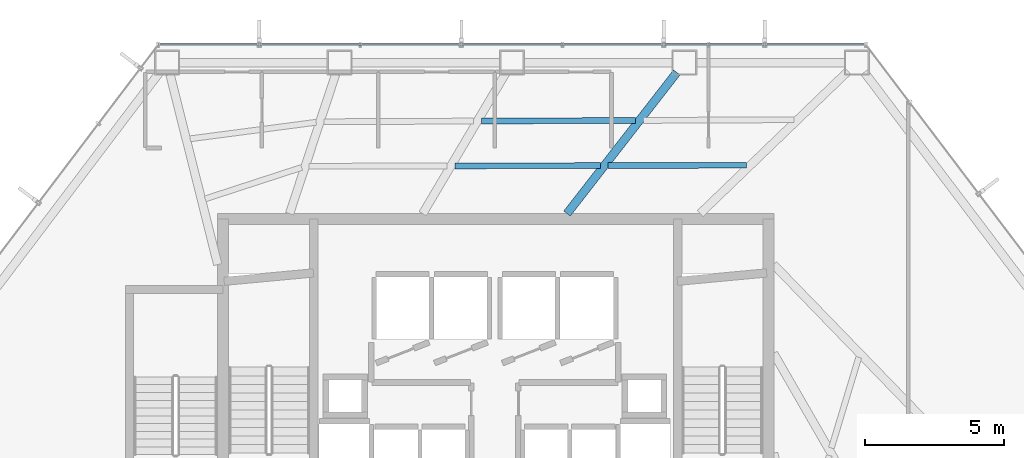
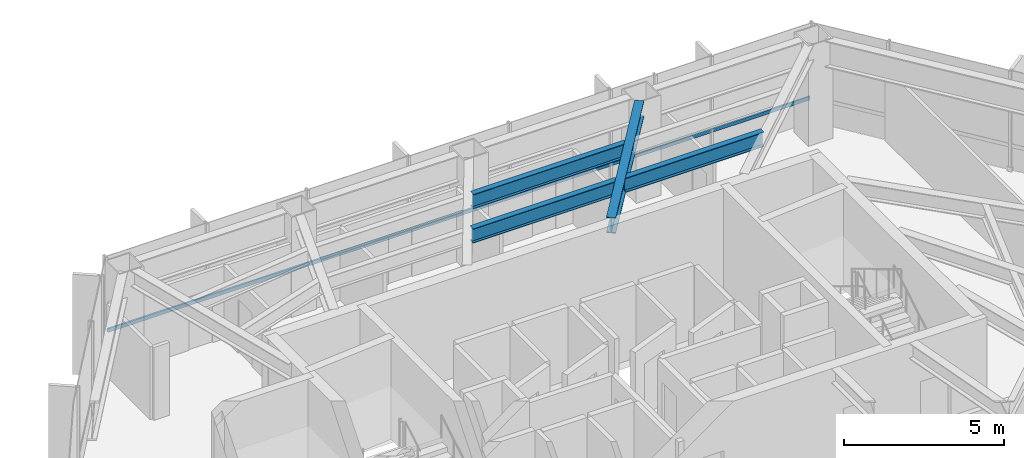
# One storey, part 12 of 24: 4 beams, 1 member, 1 element without a shape of its own.
"""IFC4 building model written with IfcOpenShell, lengths in metres."""

import ifcopenshell
import ifcopenshell.guid

model = None  # the IFC model being written
_history = None  # IfcOwnerHistory: only IFC2X3 demands one
_inside = {}  # id of a spatial element -> (the spatial element, [elements in it])
_under = {}  # id of a project, library or spatial element -> (it, [spatial elements below it])
_declared = {}  # id of a project -> (the project, [libraries it declares])
_typed = {}  # id of a type object -> (the type object, [elements of that type])
_made_of = {}  # id of a material, layer set ... -> (it, [elements and type objects made of it])


def new_model(schema):
    """Start an empty IFC model of exactly this schema.

    Asked for "IFC4X3", IfcOpenShell would pick the latest addendum, in which some entities
    have other attributes; the version numbers below select the first issue.
    IFC2X3 requires an IfcOwnerHistory on every rooted entity: one is made here for all.
    """
    global model, _history
    if schema == "IFC4X3":
        model = ifcopenshell.file(schema_version=(4, 3, 0, 0))
    else:
        model = ifcopenshell.file(schema=schema)
    _inside.clear()
    _under.clear()
    _declared.clear()
    _typed.clear()
    _made_of.clear()
    _history = None
    if model.schema == "IFC2X3":
        org = make("IfcOrganization", Name="unknown")
        user = make(
            "IfcPersonAndOrganization",
            ThePerson=make("IfcPerson", FamilyName="unknown"),
            TheOrganization=org,
        )
        app = make(
            "IfcApplication",
            ApplicationDeveloper=org,
            Version="unknown",
            ApplicationFullName="unknown",
            ApplicationIdentifier="unknown",
        )
        _history = make(
            "IfcOwnerHistory",
            OwningUser=user,
            OwningApplication=app,
            ChangeAction="ADDED",
            CreationDate=0,
        )
    return model


def make(cls, **values):
    """One entity of the class cls with the attributes given. An attribute that is None is left unset."""
    return model.create_entity(
        cls, **{name: value for name, value in values.items() if value is not None}
    )


def rooted(cls, **values):
    """An entity with a GlobalId (a new one), such as an element, a storey or a relation."""
    return make(cls, GlobalId=ifcopenshell.guid.new(), OwnerHistory=_history, **values)


def si_unit(unit_type, name, prefix=None):
    """IfcSIUnit, for example si_unit("LENGTHUNIT", "METRE", prefix="MILLI")."""
    return make("IfcSIUnit", UnitType=unit_type, Prefix=prefix, Name=name)


def assignment(units):
    """IfcUnitAssignment: the units of a project."""
    return None if units is None else make("IfcUnitAssignment", Units=units)


def point(xyz):
    """IfcCartesianPoint."""
    return None if xyz is None else make("IfcCartesianPoint", Coordinates=xyz)


def direction(xyz):
    """IfcDirection."""
    return None if xyz is None else make("IfcDirection", DirectionRatios=xyz)


def frame(location, z_axis=None, x_axis=None):
    """IfcAxis2Placement3D, a coordinate frame: its origin and axes. An axis left out is left unset."""
    return make(
        "IfcAxis2Placement3D",
        Location=point(location),
        Axis=direction(z_axis),
        RefDirection=direction(x_axis),
    )


def frame_2d(location, x_axis=None):
    """IfcAxis2Placement2D, a coordinate frame in the plane: its origin and x axis."""
    return make(
        "IfcAxis2Placement2D", Location=point(location), RefDirection=direction(x_axis)
    )


def origin():
    """The frame at (0, 0, 0) with its axes left unset."""
    return frame((0.0, 0.0, 0.0))


def origin_2d():
    """The frame at (0, 0) in the plane with its x axis left unset."""
    return frame_2d((0.0, 0.0))


def place(relative_to, where):
    """IfcLocalPlacement: puts the frame where relative to a parent placement (None: the world)."""
    return make(
        "IfcLocalPlacement", PlacementRelTo=relative_to, RelativePlacement=where
    )


def context(
    kind, dimensions, precision=None, world=None, true_north=None, identifier=None
):
    """IfcGeometricRepresentationContext, for example the 3D "Model" context."""
    return make(
        "IfcGeometricRepresentationContext",
        ContextIdentifier=identifier,
        ContextType=kind,
        CoordinateSpaceDimension=dimensions,
        Precision=precision,
        WorldCoordinateSystem=world,
        TrueNorth=true_north,
    )


def subcontext(parent, identifier, kind, view, scale=None):
    """IfcGeometricRepresentationSubContext, for example "Body" below "Model"."""
    return make(
        "IfcGeometricRepresentationSubContext",
        ContextIdentifier=identifier,
        ContextType=kind,
        ParentContext=parent,
        TargetScale=scale,
        TargetView=view,
    )


def project(units=None, contexts=None):
    """IfcProject with its units and contexts."""
    return rooted(
        "IfcProject",
        Name="project",
        RepresentationContexts=contexts,
        UnitsInContext=assignment(units),
    )


def spatial(cls, under=None, at=None, **own):
    """A site, building, storey or space (cls), placed at a placement, below another one or the project."""
    s = rooted(cls, ObjectPlacement=at, **own)
    if under is not None:
        _under.setdefault(under.id(), (under, []))[1].append(s)
    return s


def profile(cls, at=None, kind="AREA", **sizes):
    """A parametric profile (cls). Its sizes go by their IFC names, for example OverallWidth=200.0."""
    return make(cls, ProfileType=kind, Position=at, **sizes)


def hollow_rectangle(**sizes):
    """IfcRectangleHollowProfileDef."""
    return profile("IfcRectangleHollowProfileDef", **sizes)


def i_section(**sizes):
    """IfcIShapeProfileDef."""
    return profile("IfcIShapeProfileDef", **sizes)


def extrude(swept, where, along, depth):
    """IfcExtrudedAreaSolid: the profile swept, set in the frame where, extruded along a direction by depth."""
    return make(
        "IfcExtrudedAreaSolid",
        SweptArea=swept,
        Position=where,
        ExtrudedDirection=direction(along),
        Depth=depth,
    )


def shape(context_of_items, identifier, shape_type, items):
    """IfcShapeRepresentation: the items that make up one representation, for example the "Body"."""
    return make(
        "IfcShapeRepresentation",
        ContextOfItems=context_of_items,
        RepresentationIdentifier=identifier,
        RepresentationType=shape_type,
        Items=items,
    )


def material(Name=None, Category=None):
    """IfcMaterial."""
    return make("IfcMaterial", Name=Name, Category=Category)


def layer(
    of_material, thickness, ventilated=None, Name=None, Category=None, Priority=None
):
    """IfcMaterialLayer: one layer of a wall or slab, of a material (None: an air gap)."""
    return make(
        "IfcMaterialLayer",
        Material=of_material,
        LayerThickness=thickness,
        IsVentilated=ventilated,
        Name=Name,
        Category=Category,
        Priority=Priority,
    )


def layer_set(layers, Name=None):
    """IfcMaterialLayerSet."""
    return make("IfcMaterialLayerSet", MaterialLayers=layers, LayerSetName=Name)


def material_profile(
    of_material, cross_section, Name=None, Category=None, Priority=None
):
    """IfcMaterialProfile: a cross section and its material."""
    return make(
        "IfcMaterialProfile",
        Name=Name,
        Material=of_material,
        Profile=cross_section,
        Priority=Priority,
        Category=Category,
    )


def profile_set(profiles, Name=None, composite=None):
    """IfcMaterialProfileSet."""
    return make(
        "IfcMaterialProfileSet",
        Name=Name,
        MaterialProfiles=profiles,
        CompositeProfile=composite,
    )


def made_of(thing, what):
    """Note that an element or type object is made of a material, layer set ...; save() writes the relation."""
    if what is not None:
        _made_of.setdefault(what.id(), (what, []))[1].append(thing)
    return thing


def type_object(cls, material=None, **own):
    """A type object (cls), such as IfcWallType, which elements share."""
    return made_of(rooted(cls, **own), material)


def element(
    cls,
    number,
    at=None,
    inside=None,
    cuts=None,
    type_object=None,
    material=None,
    context=None,
    identifier="Body",
    shape_type=None,
    held_by="IfcProductDefinitionShape",
    body=None,
    shapes=None,
    **own,
):
    """One element of the class cls, such as IfcWall. Its Tag is "e" and its number.

    at: its placement. inside: the storey or other place that contains it. cuts: it is an
    opening in that element (IfcRelVoidsElement). A single representation is given by context,
    identifier, shape_type and body (its items); several are given by shapes. held_by: the class
    of the entity that holds the representations. save() writes the other relations.
    """
    e = rooted(cls, Tag="e%d" % number, ObjectPlacement=at, **own)
    if body is not None:
        shapes = [shape(context, identifier, shape_type, body)]
    if shapes is not None:
        e.Representation = make(held_by, Representations=shapes)
    if inside is not None:
        _inside.setdefault(inside.id(), (inside, []))[1].append(e)
    if cuts is not None:
        rooted(
            "IfcRelVoidsElement", RelatingBuildingElement=cuts, RelatedOpeningElement=e
        )
    if type_object is not None:
        _typed.setdefault(type_object.id(), (type_object, []))[1].append(e)
    return made_of(e, material)


def aggregate(whole, parts):
    """IfcRelAggregates: a whole, such as a stair, and the parts it consists of."""
    return rooted("IfcRelAggregates", RelatingObject=whole, RelatedObjects=parts)


def save(model, path):
    """Write the relations noted so far, then the file.

    IfcRelAggregates (storeys below a building ...), IfcRelContainedInSpatialStructure (elements
    in a storey), IfcRelDefinesByType, IfcRelAssociatesMaterial and IfcRelDeclares: one each for
    every whole, place, type object, material and project.
    """
    for whole, parts in _under.values():
        aggregate(whole, parts)
    for where, things in _inside.values():
        rooted(
            "IfcRelContainedInSpatialStructure",
            RelatedElements=things,
            RelatingStructure=where,
        )
    for kind, things in _typed.values():
        rooted("IfcRelDefinesByType", RelatedObjects=things, RelatingType=kind)
    for what, things in _made_of.values():
        rooted("IfcRelAssociatesMaterial", RelatedObjects=things, RelatingMaterial=what)
    for by, libraries in _declared.values():
        rooted("IfcRelDeclares", RelatingContext=by, RelatedDefinitions=libraries)
    model.write(path)


model = new_model("IFC4")

# Units and contexts
model_context = context("Model", 3, precision=1e-05, world=origin(), true_north=direction((0.0, 1.0)))
body_context = subcontext(model_context, "Body", "Model", "MODEL_VIEW")
ifc_project = project(units=[si_unit("LENGTHUNIT", "METRE"), si_unit("AREAUNIT", "SQUARE_METRE"), si_unit("VOLUMEUNIT", "CUBIC_METRE"), si_unit("PLANEANGLEUNIT", "RADIAN"), si_unit("MASSUNIT", "GRAM", prefix="KILO")], contexts=[model_context])

# Site, building, storey
site_placement = place(None, origin())
site = spatial("IfcSite", under=ifc_project, at=site_placement, CompositionType="ELEMENT")
building_placement = place(site_placement, origin())
building = spatial("IfcBuilding", under=site, at=building_placement, Name="Zarrinselat Tower", CompositionType="ELEMENT")
storey_placement = place(building_placement, frame((0.0, 0.0, 76.5)))
storey = spatial("IfcBuildingStorey", under=building, at=storey_placement, Name="L18", CompositionType="ELEMENT", Elevation=76.5)

# Beams
ifc_material_1 = material(Name="Steel S355J2", Category="steel")
ifc_material_profile_1 = material_profile(ifc_material_1, i_section(OverallWidth=0.300048828125, OverallDepth=0.60009765625, WebThickness=0.015380859375, FlangeThickness=0.030029296875, at=origin_2d()), Name="HEB 600")
ifc_profile_set_1 = profile_set([ifc_material_profile_1], Name="Steel S355J2")
beam_type_1 = type_object("IfcBeamType", Name="BM-HEB600", PredefinedType="BEAM", material=ifc_profile_set_1)
beam_1_placement = place(storey_placement, frame((41.0, 43.639892578125, 3.52001953125), z_axis=(0.614058622001, 0.789260418839, 0.0), x_axis=(-0.789260418839, 0.614058622001, 0.0)))
element("IfcBeam", 1, at=beam_1_placement, inside=storey, type_object=beam_type_1, Name="L18 Radial Primary Girder RG02", PredefinedType="BEAM", context=body_context, shape_type="SweptSolid", body=[
    extrude(i_section(OverallWidth=0.300048828125, OverallDepth=0.60009765625, WebThickness=0.015380859375, FlangeThickness=0.030029296875, at=origin_2d()), origin(), (0.0, 0.0, 1.0), 6.44482421875),
])
ifc_material_2 = material(Name="Steel S355J2", Category="steel")
ifc_material_profile_2 = material_profile(ifc_material_2, i_section(OverallWidth=0.2099609375, OverallDepth=0.550048828125, WebThickness=0.010986328125, FlangeThickness=0.01708984375, at=origin_2d()), Name="IPE 550")
ifc_profile_set_2 = profile_set([ifc_material_profile_2], Name="Steel S355J2")
beam_type_2 = type_object("IfcBeamType", Name="BM-IPE550", PredefinedType="JOIST", material=ifc_profile_set_2)
beam_2_placement = place(storey_placement, frame((42.485595703125, 45.369873046875, 3.544921875), z_axis=(0.999996104882, 0.002791096757, 0.0), x_axis=(-0.002791096757, 0.999996104882, 0.0)))
element("IfcBeam", 2, at=beam_2_placement, inside=storey, type_object=beam_type_2, Name="L18 Composite Floor Joist 7-2", PredefinedType="JOIST", context=body_context, shape_type="SweptSolid", body=[
    extrude(i_section(OverallWidth=0.2099609375, OverallDepth=0.550048828125, WebThickness=0.010986328125, FlangeThickness=0.01708984375, at=origin_2d()), origin(), (0.0, 0.0, 1.0), 4.98583984375),
])
beam_3_placement = place(storey_placement, frame((37.91162109375, 46.976318359375, 3.544921875), z_axis=(0.999993359434, 0.003644322671, 0.0), x_axis=(-0.003644322671, 0.999993359434, 0.0)))
element("IfcBeam", 3, at=beam_3_placement, inside=storey, type_object=beam_type_2, Name="L18 Composite Floor Joist 8-1", PredefinedType="JOIST", context=body_context, shape_type="SweptSolid", body=[
    extrude(i_section(OverallWidth=0.2099609375, OverallDepth=0.550048828125, WebThickness=0.010986328125, FlangeThickness=0.01708984375, at=origin_2d()), origin(), (0.0, 0.0, 1.0), 5.560302734375),
])
beam_4_placement = place(storey_placement, frame((36.95556640625, 45.358642578125, 3.544921875), z_axis=(0.99999800075, 0.001999623978, 0.0), x_axis=(-0.001999623978, 0.99999800075, 0.0)))
element("IfcBeam", 4, at=beam_4_placement, inside=storey, type_object=beam_type_2, Name="L18 Composite Floor Joist 8-2", PredefinedType="JOIST", context=body_context, shape_type="SweptSolid", body=[
    extrude(i_section(OverallWidth=0.2099609375, OverallDepth=0.550048828125, WebThickness=0.010986328125, FlangeThickness=0.01708984375, at=origin_2d()), origin(), (0.0, 0.0, 1.0), 5.25),
])

# Curtain wall, member
ifc_material_3 = material(Name="Extruded Aluminium Alloy EN AW-6063 T6", Category="aluminium")
ifc_layer = layer(ifc_material_3, 0.18505859375)
ifc_layer_set = layer_set([ifc_layer], Name="Extruded Aluminium Alloy EN AW-6063 T6")
curtain_wall_type = type_object("IfcCurtainWallType", Name="CWS-OFF", PredefinedType="NOTDEFINED", material=ifc_layer_set)
curtain_wall_placement = place(storey_placement, origin())
curtain_wall = element("IfcCurtainWall", 5, at=curtain_wall_placement, inside=storey, type_object=curtain_wall_type, Name="L18 Unitised Curtain Wall CW-L18-E01", PredefinedType="NOTDEFINED")
ifc_material_4 = material(Name="Extruded Aluminium Alloy EN AW-6063 T6", Category="aluminium")
ifc_material_profile_3 = material_profile(ifc_material_4, hollow_rectangle(XDim=0.06005859375, YDim=0.139892578125, WallThickness=0.00390625, at=origin_2d()), Name="RHS 140x60x4")
ifc_profile_set_3 = profile_set([ifc_material_profile_3], Name="Extruded Aluminium Alloy EN AW-6063 T6")
member_type = type_object("IfcMemberType", Name="MEM-CW-TRN", PredefinedType="USERDEFINED", material=ifc_profile_set_3)
member_placement = place(storey_placement, frame((51.686279296875, 49.7333984375, 0.949951171875), z_axis=(-1.0, 0.0, 0.0), x_axis=(0.0, -1.0, 0.0)))
member = element("IfcMember", 6, at=member_placement, type_object=member_type, Name="CW-L18-E01 Transom 1", ObjectType="TRANSOM", PredefinedType="USERDEFINED", context=body_context, shape_type="SweptSolid", body=[
    extrude(hollow_rectangle(XDim=0.06005859375, YDim=0.139892578125, WallThickness=0.00390625, at=origin_2d()), origin(), (0.0, 0.0, 1.0), 25.338134765625),
])
aggregate(curtain_wall, [member])

save(model, "model.ifc")
